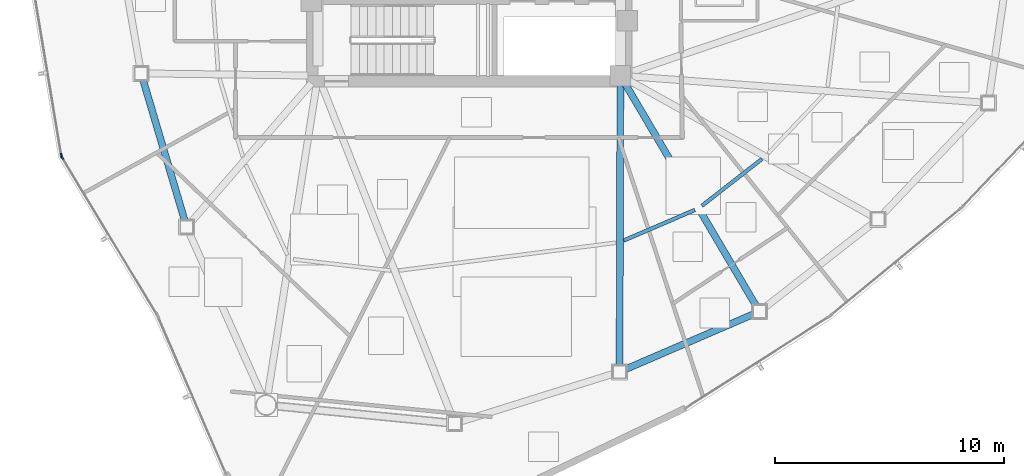
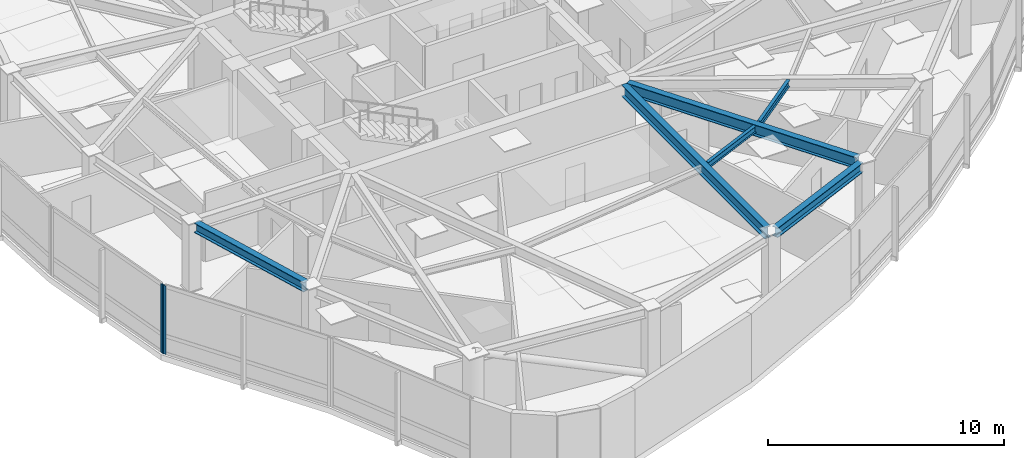
# One storey, part 3 of 17: 6 beams, 2 members, 2 elements without a shape of their own.
"""IFC4 building model written with IfcOpenShell, lengths in metres."""

from ifc_helpers import new_model, si_unit, direction, frame, origin, origin_2d, place, context, subcontext, project, spatial, hollow_rectangle, i_section, extrude, source, transform, mapped, material, layer, layer_set, material_profile, profile_set, type_object, type_shapes, element, aggregate, save


model = new_model("IFC4")

# Units and contexts
model_context = context("Model", 3, precision=1e-05, world=origin(), true_north=direction((0.0, 1.0)))
body_context = subcontext(model_context, "Body", "Model", "MODEL_VIEW")
ifc_project = project(units=[si_unit("LENGTHUNIT", "METRE"), si_unit("AREAUNIT", "SQUARE_METRE"), si_unit("VOLUMEUNIT", "CUBIC_METRE"), si_unit("PLANEANGLEUNIT", "RADIAN"), si_unit("MASSUNIT", "GRAM", prefix="KILO")], contexts=[model_context])

# Site, building, storey
site_placement = place(None, origin())
site = spatial("IfcSite", under=ifc_project, at=site_placement, CompositionType="ELEMENT")
building_placement = place(site_placement, origin())
building = spatial("IfcBuilding", under=site, at=building_placement, Name="Tavelor Broadcast Tower", CompositionType="ELEMENT")
storey_placement = place(building_placement, frame((0.0, 0.0, 184.89990234375)))
storey = spatial("IfcBuildingStorey", under=building, at=storey_placement, Name="L44", CompositionType="ELEMENT", Elevation=184.89990234375)

# Beams
ifc_material_1 = material(Name="Steel S355", Category="steel")
ifc_material_profile_1 = material_profile(ifc_material_1, i_section(OverallWidth=0.159912109375, OverallDepth=0.330078125, WebThickness=0.007568359375, FlangeThickness=0.011474609375, at=origin_2d()), Name="IPE 330")
ifc_profile_set_1 = profile_set([ifc_material_profile_1], Name="Steel S355")
beam_type_1 = type_object("IfcBeamType", Name="Composite Floor Joist T4 IPE 330", PredefinedType="JOIST", material=ifc_profile_set_1)
beam_1_placement = place(storey_placement, frame((56.744384765625, 31.603515625, 3.385009765625), z_axis=(0.918692008618, 0.394974674254, 0.0), x_axis=(-0.394974674254, 0.918692008618, 0.0)))
element("IfcBeam", 1, at=beam_1_placement, inside=storey, type_object=beam_type_1, Name="L44 Secondary Composite Floor Joist 09", PredefinedType="JOIST", context=body_context, shape_type="SweptSolid", body=[
    extrude(i_section(OverallWidth=0.159912109375, OverallDepth=0.330078125, WebThickness=0.007568359375, FlangeThickness=0.011474609375, at=origin_2d()), origin(), (0.0, 0.0, 1.0), 3.37744140625),
])
beam_2_placement = place(storey_placement, frame((60.156005859375, 33.120361328125, 3.385009765625), z_axis=(0.788651848012, 0.614840030112, 0.0), x_axis=(-0.614840030112, 0.788651848012, 0.0)))
element("IfcBeam", 2, at=beam_2_placement, inside=storey, type_object=beam_type_1, Name="L44 Secondary Composite Floor Joist 10", PredefinedType="JOIST", context=body_context, shape_type="SweptSolid", body=[
    extrude(i_section(OverallWidth=0.159912109375, OverallDepth=0.330078125, WebThickness=0.007568359375, FlangeThickness=0.011474609375, at=origin_2d()), origin(), (0.0, 0.0, 1.0), 3.32470703125),
])
ifc_material_profile_2 = material_profile(ifc_material_1, i_section(OverallWidth=0.300048828125, OverallDepth=0.5, WebThickness=0.014404296875, FlangeThickness=0.028076171875, at=origin_2d()), Name="HEB 500")
ifc_profile_set_2 = profile_set([ifc_material_profile_2], Name="Steel S355")
beam_type_2 = type_object("IfcBeamType", Name="Perimeter Spandrel Beam T4 HEB 500", PredefinedType="SPANDREL", material=ifc_profile_set_2)
beam_3_placement = place(storey_placement, frame((35.7626953125, 38.623779296875, 3.300048828125), z_axis=(0.283962764381, -0.958835308301, 0.0), x_axis=(0.958835308301, 0.283962764381, 0.0)))
element("IfcBeam", 3, at=beam_3_placement, inside=storey, type_object=beam_type_2, Name="L44 Framed-Tube Ring Spandrel 05", PredefinedType="SPANDREL", context=body_context, shape_type="SweptSolid", body=[
    extrude(i_section(OverallWidth=0.300048828125, OverallDepth=0.5, WebThickness=0.014404296875, FlangeThickness=0.028076171875, at=origin_2d()), origin(), (0.0, 0.0, 1.0), 6.421630859375),
])
beam_4_placement = place(storey_placement, frame((56.825439453125, 25.98681640625, 3.300048828125), z_axis=(0.91846180915, 0.395509677672, 0.0), x_axis=(-0.395509677672, 0.91846180915, 0.0)))
element("IfcBeam", 4, at=beam_4_placement, inside=storey, type_object=beam_type_2, Name="L44 Framed-Tube Ring Spandrel 09", PredefinedType="SPANDREL", context=body_context, shape_type="SweptSolid", body=[
    extrude(i_section(OverallWidth=0.300048828125, OverallDepth=0.5, WebThickness=0.014404296875, FlangeThickness=0.028076171875, at=origin_2d()), origin(), (0.0, 0.0, 1.0), 6.07470703125),
])
ifc_material_profile_3 = material_profile(ifc_material_1, i_section(OverallWidth=0.300048828125, OverallDepth=0.590087890625, WebThickness=0.012939453125, FlangeThickness=0.02490234375, at=origin_2d()), Name="HEA 600")
ifc_profile_set_3 = profile_set([ifc_material_profile_3], Name="Steel S355")
beam_type_3 = type_object("IfcBeamType", Name="Radial Floor Girder T4 HEA 600", PredefinedType="BEAM", material=ifc_profile_set_3)
beam_5_placement = place(storey_placement, frame((56.5986328125, 38.367919921875, 3.255126953125), z_axis=(-0.0029999865, -0.99999550003, 0.0), x_axis=(0.99999550003, -0.0029999865, 0.0)))
element("IfcBeam", 5, at=beam_5_placement, inside=storey, type_object=beam_type_3, Name="L44 Radial Primary Floor Girder 09", PredefinedType="BEAM", context=body_context, shape_type="SweptSolid", body=[
    extrude(i_section(OverallWidth=0.300048828125, OverallDepth=0.590087890625, WebThickness=0.012939453125, FlangeThickness=0.02490234375, at=origin_2d()), origin(), (0.0, 0.0, 1.0), 12.20703125),
])
beam_6_placement = place(storey_placement, frame((56.8193359375, 38.427734375, 3.255126953125), z_axis=(0.50778362975, -0.861484640233, 0.0), x_axis=(0.861484640233, 0.50778362975, 0.0)))
element("IfcBeam", 6, at=beam_6_placement, inside=storey, type_object=beam_type_3, Name="L44 Radial Primary Floor Girder 10", PredefinedType="BEAM", context=body_context, shape_type="SweptSolid", body=[
    extrude(i_section(OverallWidth=0.300048828125, OverallDepth=0.590087890625, WebThickness=0.012939453125, FlangeThickness=0.02490234375, at=origin_2d()), origin(), (0.0, 0.0, 1.0), 11.232421875),
])

# Curtain wall, member
ifc_material_2 = material(Name="Architectural Anodized Aluminium", Category="aluminium")
ifc_layer = layer(ifc_material_2, 0.18994140625)
ifc_layer_set = layer_set([ifc_layer], Name="Architectural Anodized Aluminium")
curtain_wall_type = type_object("IfcCurtainWallType", Name="Tower Mid-Zone Acoustic Curtain Wall CW03", PredefinedType="NOTDEFINED", material=ifc_layer_set)
curtain_wall_1_placement = place(storey_placement, origin())
curtain_wall_1 = element("IfcCurtainWall", 7, at=curtain_wall_1_placement, inside=storey, type_object=curtain_wall_type, Name="L44 Curtain Wall CW03 Run 470", PredefinedType="NOTDEFINED")
ifc_material_profile_4 = material_profile(ifc_material_2, hollow_rectangle(XDim=0.068115234375, YDim=0.18994140625, WallThickness=0.02197265625, at=origin_2d()), Name="RHS 68x190x22")
ifc_profile_set_4 = profile_set([ifc_material_profile_4], Name="Architectural Anodized Aluminium")
member_type = type_object("IfcMemberType", Name="CW03 Extruded Aluminium Mullion 68x190", PredefinedType="MULLION", material=ifc_profile_set_4)
shared_shape = source(origin(), body_context, "Body", "SweptSolid", [
    extrude(hollow_rectangle(XDim=0.068115234375, YDim=0.18994140625, WallThickness=0.02197265625, at=origin_2d()), origin(), (0.0, 0.0, 1.0), 3.550048828125),
])
type_shapes(member_type, [shared_shape])
member_1_placement = place(storey_placement, frame((32.19873046875, 35.3203125, 0.0), z_axis=(0.0, 0.0, 1.0), x_axis=(0.986358215355, 0.164613094866, 0.0)))
member_1 = element("IfcMember", 8, at=member_1_placement, type_object=member_type, Name="CW03 mullion 2", PredefinedType="MULLION", context=body_context, shape_type="MappedRepresentation", body=[
    mapped(shared_shape, transform((0.0, 0.0, 0.0), scale=1.0)),
])
aggregate(curtain_wall_1, [member_1])

curtain_wall_2_placement = place(storey_placement, origin())
curtain_wall_2 = element("IfcCurtainWall", 9, at=curtain_wall_2_placement, inside=storey, type_object=curtain_wall_type, Name="L44 Curtain Wall CW03 Run 471", PredefinedType="NOTDEFINED")
member_2_placement = place(storey_placement, frame((32.232177734375, 35.22998046875, 0.0), z_axis=(0.0, 0.0, 1.0), x_axis=(0.855952826044, 0.517053923287, 0.0)))
member_2 = element("IfcMember", 10, at=member_2_placement, type_object=member_type, Name="CW03 mullion 1", PredefinedType="MULLION", context=body_context, shape_type="MappedRepresentation", body=[
    mapped(shared_shape, transform((0.0, 0.0, 0.0), scale=1.0)),
])
aggregate(curtain_wall_2, [member_2])

save(model, "model.ifc")
